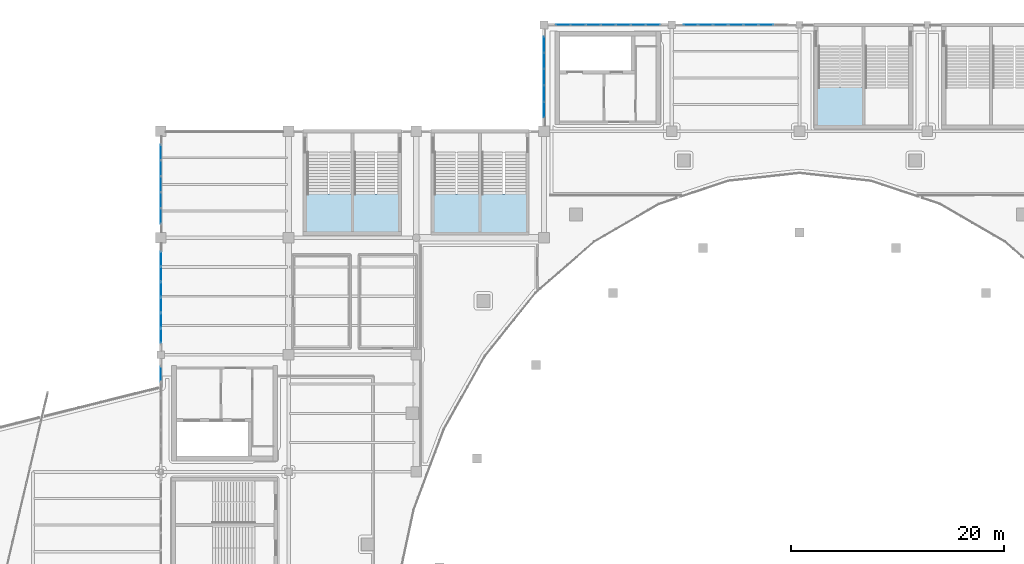
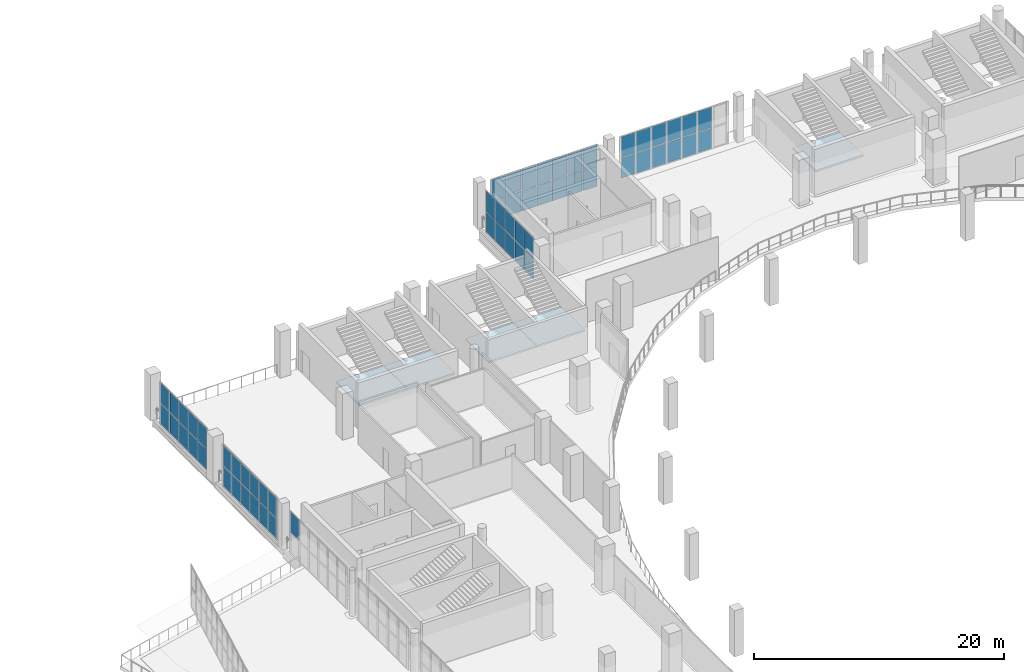
# One storey, part 72 of 108: 59 plates, 5 slabs, 11 elements without a shape of their own.
"""IFC4 building model written with IfcOpenShell, lengths in metres."""

from ifc_helpers import new_model, si_unit, direction, frame, origin, origin_2d, place, context, subcontext, project, spatial, polyline, rectangle, outline, extrude, material, layer, layer_set, type_object, element, aggregate, save


model = new_model("IFC4")

# Units and contexts
model_context = context("Model", 3, precision=1e-05, world=origin(), true_north=direction((0.0, 1.0)))
body_context = subcontext(model_context, "Body", "Model", "MODEL_VIEW")
ifc_project = project(units=[si_unit("LENGTHUNIT", "METRE"), si_unit("AREAUNIT", "SQUARE_METRE"), si_unit("VOLUMEUNIT", "CUBIC_METRE"), si_unit("PLANEANGLEUNIT", "RADIAN"), si_unit("MASSUNIT", "GRAM", prefix="KILO")], contexts=[model_context])

# Site, building, storey
site_placement = place(None, origin())
site = spatial("IfcSite", under=ifc_project, at=site_placement, CompositionType="ELEMENT")
building_placement = place(site_placement, origin())
building = spatial("IfcBuilding", under=site, at=building_placement, Name="Brinegate Civic Arena", CompositionType="ELEMENT")
storey_placement = place(building_placement, frame((0.0, 0.0, 10.199951171875)))
storey = spatial("IfcBuildingStorey", under=building, at=storey_placement, Name="L02", CompositionType="ELEMENT", Elevation=10.199951171875)

# Curtain wall, plates
ifc_material_1 = material(Name="Marine grade aluminium", Category="aluminium")
ifc_layer_1 = layer(ifc_material_1, 0.235107421875, Name="Marine grade aluminium")
ifc_layer_set_1 = layer_set([ifc_layer_1], Name="Marine grade aluminium")
curtain_wall_type_1 = type_object("IfcCurtainWallType", Name="CW-PORTAL-NORTH-01", PredefinedType="USERDEFINED", material=ifc_layer_set_1)
curtain_wall_1_placement = place(storey_placement, origin())
curtain_wall_1 = element("IfcCurtainWall", 1, at=curtain_wall_1_placement, inside=storey, type_object=curtain_wall_type_1, Name="Curtain Wall CWA-096", ObjectType="PORTAL CURTAIN WALL", PredefinedType="USERDEFINED")
ifc_material_2 = material(Name="Hurricane laminated low-E glass", Category="glass")
ifc_layer_2 = layer(ifc_material_2, 0.028076171875, Name="Hurricane laminated low-E glass")
ifc_layer_set_2 = layer_set([ifc_layer_2], Name="Hurricane laminated low-E glass")
plate_type_1 = type_object("IfcPlateType", Name="CW-PANEL-GLAZED-28", PredefinedType="CURTAIN_PANEL", material=ifc_layer_set_2)
plate_1_placement = place(storey_placement, frame((85.801513671875, 124.0, 0.06494140625), z_axis=(0.0, 0.0, 1.0), x_axis=(1.0, 0.0, 0.0)))
plate_1 = element("IfcPlate", 2, at=plate_1_placement, type_object=plate_type_1, Name="CWA-096 panel 1.1", PredefinedType="CURTAIN_PANEL", context=body_context, shape_type="SweptSolid", body=[
    extrude(rectangle(XDim=1.313232421875, YDim=0.028076171875, at=origin_2d()), origin(), (0.0, 0.0, 1.0), 1.9775390625),
])
plate_2_placement = place(storey_placement, frame((85.801513671875, 124.0, 2.107421875), z_axis=(0.0, 0.0, 1.0), x_axis=(1.0, 0.0, 0.0)))
plate_2 = element("IfcPlate", 3, at=plate_2_placement, type_object=plate_type_1, Name="CWA-096 panel 1.2", PredefinedType="CURTAIN_PANEL", context=body_context, shape_type="SweptSolid", body=[
    extrude(rectangle(XDim=1.313232421875, YDim=0.028076171875, at=origin_2d()), origin(), (0.0, 0.0, 1.0), 1.9775390625),
])
plate_3_placement = place(storey_placement, frame((87.196044921875, 124.0, 0.06494140625), z_axis=(0.0, 0.0, 1.0), x_axis=(1.0, 0.0, 0.0)))
plate_3 = element("IfcPlate", 4, at=plate_3_placement, type_object=plate_type_1, Name="CWA-096 panel 2.1", PredefinedType="CURTAIN_PANEL", context=body_context, shape_type="SweptSolid", body=[
    extrude(rectangle(XDim=1.345703125, YDim=0.028076171875, at=origin_2d()), origin(), (0.0, 0.0, 1.0), 1.9775390625),
])
plate_4_placement = place(storey_placement, frame((87.196044921875, 124.0, 2.107421875), z_axis=(0.0, 0.0, 1.0), x_axis=(1.0, 0.0, 0.0)))
plate_4 = element("IfcPlate", 5, at=plate_4_placement, type_object=plate_type_1, Name="CWA-096 panel 2.2", PredefinedType="CURTAIN_PANEL", context=body_context, shape_type="SweptSolid", body=[
    extrude(rectangle(XDim=1.345703125, YDim=0.028076171875, at=origin_2d()), origin(), (0.0, 0.0, 1.0), 1.9775390625),
])
plate_5_placement = place(storey_placement, frame((88.606689453125, 124.0, 0.06494140625), z_axis=(0.0, 0.0, 1.0), x_axis=(1.0, 0.0, 0.0)))
plate_5 = element("IfcPlate", 6, at=plate_5_placement, type_object=plate_type_1, Name="CWA-096 panel 3.1", PredefinedType="CURTAIN_PANEL", context=body_context, shape_type="SweptSolid", body=[
    extrude(rectangle(XDim=1.345703125, YDim=0.028076171875, at=origin_2d()), origin(), (0.0, 0.0, 1.0), 1.9775390625),
])
plate_6_placement = place(storey_placement, frame((88.606689453125, 124.0, 2.107421875), z_axis=(0.0, 0.0, 1.0), x_axis=(1.0, 0.0, 0.0)))
plate_6 = element("IfcPlate", 7, at=plate_6_placement, type_object=plate_type_1, Name="CWA-096 panel 3.2", PredefinedType="CURTAIN_PANEL", context=body_context, shape_type="SweptSolid", body=[
    extrude(rectangle(XDim=1.345703125, YDim=0.028076171875, at=origin_2d()), origin(), (0.0, 0.0, 1.0), 1.9775390625),
])
plate_7_placement = place(storey_placement, frame((90.017578125, 124.0, 0.06494140625), z_axis=(0.0, 0.0, 1.0), x_axis=(1.0, 0.0, 0.0)))
plate_7 = element("IfcPlate", 8, at=plate_7_placement, type_object=plate_type_1, Name="CWA-096 panel 4.1", PredefinedType="CURTAIN_PANEL", context=body_context, shape_type="SweptSolid", body=[
    extrude(rectangle(XDim=1.345703125, YDim=0.028076171875, at=origin_2d()), origin(), (0.0, 0.0, 1.0), 1.9775390625),
])
plate_8_placement = place(storey_placement, frame((90.017578125, 124.0, 2.107421875), z_axis=(0.0, 0.0, 1.0), x_axis=(1.0, 0.0, 0.0)))
plate_8 = element("IfcPlate", 9, at=plate_8_placement, type_object=plate_type_1, Name="CWA-096 panel 4.2", PredefinedType="CURTAIN_PANEL", context=body_context, shape_type="SweptSolid", body=[
    extrude(rectangle(XDim=1.345703125, YDim=0.028076171875, at=origin_2d()), origin(), (0.0, 0.0, 1.0), 1.9775390625),
])
plate_9_placement = place(storey_placement, frame((91.42822265625, 124.0, 0.06494140625), z_axis=(0.0, 0.0, 1.0), x_axis=(1.0, 0.0, 0.0)))
plate_9 = element("IfcPlate", 10, at=plate_9_placement, type_object=plate_type_1, Name="CWA-096 panel 5.1", PredefinedType="CURTAIN_PANEL", context=body_context, shape_type="SweptSolid", body=[
    extrude(rectangle(XDim=1.345703125, YDim=0.028076171875, at=origin_2d()), origin(), (0.0, 0.0, 1.0), 1.9775390625),
])
plate_10_placement = place(storey_placement, frame((91.42822265625, 124.0, 2.107421875), z_axis=(0.0, 0.0, 1.0), x_axis=(1.0, 0.0, 0.0)))
plate_10 = element("IfcPlate", 11, at=plate_10_placement, type_object=plate_type_1, Name="CWA-096 panel 5.2", PredefinedType="CURTAIN_PANEL", context=body_context, shape_type="SweptSolid", body=[
    extrude(rectangle(XDim=1.345703125, YDim=0.028076171875, at=origin_2d()), origin(), (0.0, 0.0, 1.0), 1.9775390625),
])
plate_11_placement = place(storey_placement, frame((92.8388671875, 124.0, 0.06494140625), z_axis=(0.0, 0.0, 1.0), x_axis=(1.0, 0.0, 0.0)))
plate_11 = element("IfcPlate", 12, at=plate_11_placement, type_object=plate_type_1, Name="CWA-096 panel 6.1", PredefinedType="CURTAIN_PANEL", context=body_context, shape_type="SweptSolid", body=[
    extrude(rectangle(XDim=1.345703125, YDim=0.028076171875, at=origin_2d()), origin(), (0.0, 0.0, 1.0), 1.9775390625),
])
plate_12_placement = place(storey_placement, frame((92.8388671875, 124.0, 2.107421875), z_axis=(0.0, 0.0, 1.0), x_axis=(1.0, 0.0, 0.0)))
plate_12 = element("IfcPlate", 13, at=plate_12_placement, type_object=plate_type_1, Name="CWA-096 panel 6.2", PredefinedType="CURTAIN_PANEL", context=body_context, shape_type="SweptSolid", body=[
    extrude(rectangle(XDim=1.345703125, YDim=0.028076171875, at=origin_2d()), origin(), (0.0, 0.0, 1.0), 1.9775390625),
])
plate_13_placement = place(storey_placement, frame((94.2333984375, 124.0, 0.06494140625), z_axis=(0.0, 0.0, 1.0), x_axis=(1.0, 0.0, 0.0)))
plate_13 = element("IfcPlate", 14, at=plate_13_placement, type_object=plate_type_1, Name="CWA-096 panel 7.1", PredefinedType="CURTAIN_PANEL", context=body_context, shape_type="SweptSolid", body=[
    extrude(rectangle(XDim=1.313232421875, YDim=0.028076171875, at=origin_2d()), origin(), (0.0, 0.0, 1.0), 1.9775390625),
])
plate_14_placement = place(storey_placement, frame((94.2333984375, 124.0, 2.107421875), z_axis=(0.0, 0.0, 1.0), x_axis=(1.0, 0.0, 0.0)))
plate_14 = element("IfcPlate", 15, at=plate_14_placement, type_object=plate_type_1, Name="CWA-096 panel 7.2", PredefinedType="CURTAIN_PANEL", context=body_context, shape_type="SweptSolid", body=[
    extrude(rectangle(XDim=1.313232421875, YDim=0.028076171875, at=origin_2d()), origin(), (0.0, 0.0, 1.0), 1.9775390625),
])
aggregate(curtain_wall_1, [plate_1, plate_2, plate_3, plate_4, plate_5, plate_6, plate_7, plate_8, plate_9, plate_10, plate_11, plate_12, plate_13, plate_14])

curtain_wall_2_placement = place(storey_placement, origin())
curtain_wall_2 = element("IfcCurtainWall", 16, at=curtain_wall_2_placement, inside=storey, type_object=curtain_wall_type_1, Name="Curtain Wall CWA-100", ObjectType="PORTAL CURTAIN WALL", PredefinedType="USERDEFINED")
plate_15_placement = place(storey_placement, frame((84.0, 116.03955078125, 0.06494140625), z_axis=(0.0, 0.0, 1.0), x_axis=(0.0, 1.0, 0.0)))
plate_15 = element("IfcPlate", 17, at=plate_15_placement, type_object=plate_type_1, Name="CWA-100 panel 1.1", PredefinedType="CURTAIN_PANEL", context=body_context, shape_type="SweptSolid", body=[
    extrude(rectangle(XDim=1.43505859375, YDim=0.028076171875, at=origin_2d()), origin(), (0.0, 0.0, 1.0), 1.9775390625),
])
plate_16_placement = place(storey_placement, frame((84.0, 116.03955078125, 2.107421875), z_axis=(0.0, 0.0, 1.0), x_axis=(0.0, 1.0, 0.0)))
plate_16 = element("IfcPlate", 18, at=plate_16_placement, type_object=plate_type_1, Name="CWA-100 panel 1.2", PredefinedType="CURTAIN_PANEL", context=body_context, shape_type="SweptSolid", body=[
    extrude(rectangle(XDim=1.43505859375, YDim=0.028076171875, at=origin_2d()), origin(), (0.0, 0.0, 1.0), 1.9775390625),
])
plate_17_placement = place(storey_placement, frame((84.0, 117.555908203125, 0.06494140625), z_axis=(0.0, 0.0, 1.0), x_axis=(0.0, 1.0, 0.0)))
plate_17 = element("IfcPlate", 19, at=plate_17_placement, type_object=plate_type_1, Name="CWA-100 panel 2.1", PredefinedType="CURTAIN_PANEL", context=body_context, shape_type="SweptSolid", body=[
    extrude(rectangle(XDim=1.467529296875, YDim=0.028076171875, at=origin_2d()), origin(), (0.0, 0.0, 1.0), 1.9775390625),
])
plate_18_placement = place(storey_placement, frame((84.0, 117.555908203125, 2.107421875), z_axis=(0.0, 0.0, 1.0), x_axis=(0.0, 1.0, 0.0)))
plate_18 = element("IfcPlate", 20, at=plate_18_placement, type_object=plate_type_1, Name="CWA-100 panel 2.2", PredefinedType="CURTAIN_PANEL", context=body_context, shape_type="SweptSolid", body=[
    extrude(rectangle(XDim=1.467529296875, YDim=0.028076171875, at=origin_2d()), origin(), (0.0, 0.0, 1.0), 1.9775390625),
])
plate_19_placement = place(storey_placement, frame((84.0, 119.08837890625, 0.06494140625), z_axis=(0.0, 0.0, 1.0), x_axis=(0.0, 1.0, 0.0)))
plate_19 = element("IfcPlate", 21, at=plate_19_placement, type_object=plate_type_1, Name="CWA-100 panel 3.1", PredefinedType="CURTAIN_PANEL", context=body_context, shape_type="SweptSolid", body=[
    extrude(rectangle(XDim=1.467529296875, YDim=0.028076171875, at=origin_2d()), origin(), (0.0, 0.0, 1.0), 1.9775390625),
])
plate_20_placement = place(storey_placement, frame((84.0, 119.08837890625, 2.107421875), z_axis=(0.0, 0.0, 1.0), x_axis=(0.0, 1.0, 0.0)))
plate_20 = element("IfcPlate", 22, at=plate_20_placement, type_object=plate_type_1, Name="CWA-100 panel 3.2", PredefinedType="CURTAIN_PANEL", context=body_context, shape_type="SweptSolid", body=[
    extrude(rectangle(XDim=1.467529296875, YDim=0.028076171875, at=origin_2d()), origin(), (0.0, 0.0, 1.0), 1.9775390625),
])
plate_21_placement = place(storey_placement, frame((84.0, 120.62109375, 0.06494140625), z_axis=(0.0, 0.0, 1.0), x_axis=(0.0, 1.0, 0.0)))
plate_21 = element("IfcPlate", 23, at=plate_21_placement, type_object=plate_type_1, Name="CWA-100 panel 4.1", PredefinedType="CURTAIN_PANEL", context=body_context, shape_type="SweptSolid", body=[
    extrude(rectangle(XDim=1.467529296875, YDim=0.028076171875, at=origin_2d()), origin(), (0.0, 0.0, 1.0), 1.9775390625),
])
plate_22_placement = place(storey_placement, frame((84.0, 120.62109375, 2.107421875), z_axis=(0.0, 0.0, 1.0), x_axis=(0.0, 1.0, 0.0)))
plate_22 = element("IfcPlate", 24, at=plate_22_placement, type_object=plate_type_1, Name="CWA-100 panel 4.2", PredefinedType="CURTAIN_PANEL", context=body_context, shape_type="SweptSolid", body=[
    extrude(rectangle(XDim=1.467529296875, YDim=0.028076171875, at=origin_2d()), origin(), (0.0, 0.0, 1.0), 1.9775390625),
])
plate_23_placement = place(storey_placement, frame((84.0, 122.137451171875, 0.06494140625), z_axis=(0.0, 0.0, 1.0), x_axis=(0.0, 1.0, 0.0)))
plate_23 = element("IfcPlate", 25, at=plate_23_placement, type_object=plate_type_1, Name="CWA-100 panel 5.1", PredefinedType="CURTAIN_PANEL", context=body_context, shape_type="SweptSolid", body=[
    extrude(rectangle(XDim=1.43505859375, YDim=0.028076171875, at=origin_2d()), origin(), (0.0, 0.0, 1.0), 1.9775390625),
])
plate_24_placement = place(storey_placement, frame((84.0, 122.137451171875, 2.107421875), z_axis=(0.0, 0.0, 1.0), x_axis=(0.0, 1.0, 0.0)))
plate_24 = element("IfcPlate", 26, at=plate_24_placement, type_object=plate_type_1, Name="CWA-100 panel 5.2", PredefinedType="CURTAIN_PANEL", context=body_context, shape_type="SweptSolid", body=[
    extrude(rectangle(XDim=1.43505859375, YDim=0.028076171875, at=origin_2d()), origin(), (0.0, 0.0, 1.0), 1.9775390625),
])
aggregate(curtain_wall_2, [plate_15, plate_16, plate_17, plate_18, plate_19, plate_20, plate_21, plate_22, plate_23, plate_24])

# Curtain wall, plate
ifc_layer_3 = layer(ifc_material_1, 0.199951171875, Name="Marine grade aluminium")
ifc_layer_set_3 = layer_set([ifc_layer_3], Name="Marine grade aluminium")
curtain_wall_type_2 = type_object("IfcCurtainWallType", Name="CW-BOWL-GLAZED-01", PredefinedType="USERDEFINED", material=ifc_layer_set_3)
curtain_wall_3_placement = place(storey_placement, origin())
curtain_wall_3 = element("IfcCurtainWall", 27, at=curtain_wall_3_placement, inside=storey, type_object=curtain_wall_type_2, Name="Curtain Wall CWA-089", ObjectType="GLAZED CURTAIN WALL", PredefinedType="USERDEFINED")
ifc_layer_4 = layer(ifc_material_2, 0.031982421875, Name="Hurricane laminated low-E glass")
ifc_layer_set_4 = layer_set([ifc_layer_4], Name="Hurricane laminated low-E glass")
plate_type_2 = type_object("IfcPlateType", Name="CW-PANEL-GLAZED-32", PredefinedType="CURTAIN_PANEL", material=ifc_layer_set_4)
plate_25_placement = place(storey_placement, frame((48.0, 91.184814453125, 2.107421875), z_axis=(0.0, 0.0, 1.0), x_axis=(0.0, 1.0, 0.0)))
plate_25 = element("IfcPlate", 28, at=plate_25_placement, type_object=plate_type_2, Name="CWA-089 panel 6.2", PredefinedType="CURTAIN_PANEL", context=body_context, shape_type="SweptSolid", body=[
    extrude(rectangle(XDim=1.41015625, YDim=0.031982421875, at=origin_2d()), origin(), (0.0, 0.0, 1.0), 1.9775390625),
])
aggregate(curtain_wall_3, [plate_25])

# Curtain wall, plates
curtain_wall_4_placement = place(storey_placement, origin())
curtain_wall_4 = element("IfcCurtainWall", 29, at=curtain_wall_4_placement, inside=storey, type_object=curtain_wall_type_2, Name="Curtain Wall CWA-093", ObjectType="GLAZED CURTAIN WALL", PredefinedType="USERDEFINED")
plate_26_placement = place(storey_placement, frame((48.0, 106.025390625, 0.06494140625), z_axis=(0.0, 0.0, 1.0), x_axis=(0.0, 1.0, 0.0)))
plate_26 = element("IfcPlate", 30, at=plate_26_placement, type_object=plate_type_2, Name="CWA-093 panel 1.1", PredefinedType="CURTAIN_PANEL", context=body_context, shape_type="SweptSolid", body=[
    extrude(rectangle(XDim=1.40673828125, YDim=0.031982421875, at=origin_2d()), origin(), (0.0, 0.0, 1.0), 1.9775390625),
])
plate_27_placement = place(storey_placement, frame((48.0, 106.025390625, 2.107421875), z_axis=(0.0, 0.0, 1.0), x_axis=(0.0, 1.0, 0.0)))
plate_27 = element("IfcPlate", 31, at=plate_27_placement, type_object=plate_type_2, Name="CWA-093 panel 1.2", PredefinedType="CURTAIN_PANEL", context=body_context, shape_type="SweptSolid", body=[
    extrude(rectangle(XDim=1.40673828125, YDim=0.031982421875, at=origin_2d()), origin(), (0.0, 0.0, 1.0), 1.9775390625),
])
plate_28_placement = place(storey_placement, frame((48.0, 107.51318359375, 0.06494140625), z_axis=(0.0, 0.0, 1.0), x_axis=(0.0, 1.0, 0.0)))
plate_28 = element("IfcPlate", 32, at=plate_28_placement, type_object=plate_type_2, Name="CWA-093 panel 2.1", PredefinedType="CURTAIN_PANEL", context=body_context, shape_type="SweptSolid", body=[
    extrude(rectangle(XDim=1.439208984375, YDim=0.031982421875, at=origin_2d()), origin(), (0.0, 0.0, 1.0), 1.9775390625),
])
plate_29_placement = place(storey_placement, frame((48.0, 107.51318359375, 2.107421875), z_axis=(0.0, 0.0, 1.0), x_axis=(0.0, 1.0, 0.0)))
plate_29 = element("IfcPlate", 33, at=plate_29_placement, type_object=plate_type_2, Name="CWA-093 panel 2.2", PredefinedType="CURTAIN_PANEL", context=body_context, shape_type="SweptSolid", body=[
    extrude(rectangle(XDim=1.439208984375, YDim=0.031982421875, at=origin_2d()), origin(), (0.0, 0.0, 1.0), 1.9775390625),
])
plate_30_placement = place(storey_placement, frame((48.0, 109.017578125, 0.06494140625), z_axis=(0.0, 0.0, 1.0), x_axis=(0.0, 1.0, 0.0)))
plate_30 = element("IfcPlate", 34, at=plate_30_placement, type_object=plate_type_2, Name="CWA-093 panel 3.1", PredefinedType="CURTAIN_PANEL", context=body_context, shape_type="SweptSolid", body=[
    extrude(rectangle(XDim=1.439208984375, YDim=0.031982421875, at=origin_2d()), origin(), (0.0, 0.0, 1.0), 1.9775390625),
])
plate_31_placement = place(storey_placement, frame((48.0, 109.017578125, 2.107421875), z_axis=(0.0, 0.0, 1.0), x_axis=(0.0, 1.0, 0.0)))
plate_31 = element("IfcPlate", 35, at=plate_31_placement, type_object=plate_type_2, Name="CWA-093 panel 3.2", PredefinedType="CURTAIN_PANEL", context=body_context, shape_type="SweptSolid", body=[
    extrude(rectangle(XDim=1.439208984375, YDim=0.031982421875, at=origin_2d()), origin(), (0.0, 0.0, 1.0), 1.9775390625),
])
plate_32_placement = place(storey_placement, frame((48.0, 110.521728515625, 0.06494140625), z_axis=(0.0, 0.0, 1.0), x_axis=(0.0, 1.0, 0.0)))
plate_32 = element("IfcPlate", 36, at=plate_32_placement, type_object=plate_type_2, Name="CWA-093 panel 4.1", PredefinedType="CURTAIN_PANEL", context=body_context, shape_type="SweptSolid", body=[
    extrude(rectangle(XDim=1.439208984375, YDim=0.031982421875, at=origin_2d()), origin(), (0.0, 0.0, 1.0), 1.9775390625),
])
plate_33_placement = place(storey_placement, frame((48.0, 110.521728515625, 2.107421875), z_axis=(0.0, 0.0, 1.0), x_axis=(0.0, 1.0, 0.0)))
plate_33 = element("IfcPlate", 37, at=plate_33_placement, type_object=plate_type_2, Name="CWA-093 panel 4.2", PredefinedType="CURTAIN_PANEL", context=body_context, shape_type="SweptSolid", body=[
    extrude(rectangle(XDim=1.439208984375, YDim=0.031982421875, at=origin_2d()), origin(), (0.0, 0.0, 1.0), 1.9775390625),
])
plate_34_placement = place(storey_placement, frame((48.0, 112.009765625, 0.06494140625), z_axis=(0.0, 0.0, 1.0), x_axis=(0.0, 1.0, 0.0)))
plate_34 = element("IfcPlate", 38, at=plate_34_placement, type_object=plate_type_2, Name="CWA-093 panel 5.1", PredefinedType="CURTAIN_PANEL", context=body_context, shape_type="SweptSolid", body=[
    extrude(rectangle(XDim=1.40673828125, YDim=0.031982421875, at=origin_2d()), origin(), (0.0, 0.0, 1.0), 1.9775390625),
])
plate_35_placement = place(storey_placement, frame((48.0, 112.009765625, 2.107421875), z_axis=(0.0, 0.0, 1.0), x_axis=(0.0, 1.0, 0.0)))
plate_35 = element("IfcPlate", 39, at=plate_35_placement, type_object=plate_type_2, Name="CWA-093 panel 5.2", PredefinedType="CURTAIN_PANEL", context=body_context, shape_type="SweptSolid", body=[
    extrude(rectangle(XDim=1.40673828125, YDim=0.031982421875, at=origin_2d()), origin(), (0.0, 0.0, 1.0), 1.9775390625),
])
aggregate(curtain_wall_4, [plate_26, plate_27, plate_28, plate_29, plate_30, plate_31, plate_32, plate_33, plate_34, plate_35])

curtain_wall_5_placement = place(storey_placement, origin())
curtain_wall_5 = element("IfcCurtainWall", 40, at=curtain_wall_5_placement, inside=storey, type_object=curtain_wall_type_1, Name="Curtain Wall CWA-098", ObjectType="PORTAL CURTAIN WALL", PredefinedType="USERDEFINED")
ifc_layer_5 = layer(ifc_material_2, 0.035888671875, Name="Hurricane laminated low-E glass")
ifc_layer_set_5 = layer_set([ifc_layer_5], Name="Hurricane laminated low-E glass")
plate_type_3 = type_object("IfcPlateType", Name="CW-PANEL-GLAZED-36", PredefinedType="CURTAIN_PANEL", material=ifc_layer_set_5)
plate_36_placement = place(storey_placement, frame((97.774169921875, 124.0, 0.06494140625), z_axis=(0.0, 0.0, 1.0), x_axis=(1.0, 0.0, 0.0)))
plate_36 = element("IfcPlate", 41, at=plate_36_placement, type_object=plate_type_3, Name="CWA-098 panel 1.1", PredefinedType="CURTAIN_PANEL", context=body_context, shape_type="SweptSolid", body=[
    extrude(rectangle(XDim=1.30810546875, YDim=0.035888671875, at=origin_2d()), origin(), (0.0, 0.0, 1.0), 1.9775390625),
])
plate_37_placement = place(storey_placement, frame((97.774169921875, 124.0, 2.107421875), z_axis=(0.0, 0.0, 1.0), x_axis=(1.0, 0.0, 0.0)))
plate_37 = element("IfcPlate", 42, at=plate_37_placement, type_object=plate_type_3, Name="CWA-098 panel 1.2", PredefinedType="CURTAIN_PANEL", context=body_context, shape_type="SweptSolid", body=[
    extrude(rectangle(XDim=1.30810546875, YDim=0.035888671875, at=origin_2d()), origin(), (0.0, 0.0, 1.0), 1.9775390625),
])
plate_38_placement = place(storey_placement, frame((99.176025390625, 124.0, 0.06494140625), z_axis=(0.0, 0.0, 1.0), x_axis=(1.0, 0.0, 0.0)))
plate_38 = element("IfcPlate", 43, at=plate_38_placement, type_object=plate_type_3, Name="CWA-098 panel 2.1", PredefinedType="CURTAIN_PANEL", context=body_context, shape_type="SweptSolid", body=[
    extrude(rectangle(XDim=1.345703125, YDim=0.035888671875, at=origin_2d()), origin(), (0.0, 0.0, 1.0), 1.9775390625),
])
plate_39_placement = place(storey_placement, frame((99.176025390625, 124.0, 2.107421875), z_axis=(0.0, 0.0, 1.0), x_axis=(1.0, 0.0, 0.0)))
plate_39 = element("IfcPlate", 44, at=plate_39_placement, type_object=plate_type_3, Name="CWA-098 panel 2.2", PredefinedType="CURTAIN_PANEL", context=body_context, shape_type="SweptSolid", body=[
    extrude(rectangle(XDim=1.345703125, YDim=0.035888671875, at=origin_2d()), origin(), (0.0, 0.0, 1.0), 1.9775390625),
])
plate_40_placement = place(storey_placement, frame((100.5966796875, 124.0, 0.06494140625), z_axis=(0.0, 0.0, 1.0), x_axis=(1.0, 0.0, 0.0)))
plate_40 = element("IfcPlate", 45, at=plate_40_placement, type_object=plate_type_3, Name="CWA-098 panel 3.1", PredefinedType="CURTAIN_PANEL", context=body_context, shape_type="SweptSolid", body=[
    extrude(rectangle(XDim=1.345703125, YDim=0.035888671875, at=origin_2d()), origin(), (0.0, 0.0, 1.0), 1.9775390625),
])
plate_41_placement = place(storey_placement, frame((100.5966796875, 124.0, 2.107421875), z_axis=(0.0, 0.0, 1.0), x_axis=(1.0, 0.0, 0.0)))
plate_41 = element("IfcPlate", 46, at=plate_41_placement, type_object=plate_type_3, Name="CWA-098 panel 3.2", PredefinedType="CURTAIN_PANEL", context=body_context, shape_type="SweptSolid", body=[
    extrude(rectangle(XDim=1.345703125, YDim=0.035888671875, at=origin_2d()), origin(), (0.0, 0.0, 1.0), 1.9775390625),
])
plate_42_placement = place(storey_placement, frame((102.017578125, 124.0, 0.06494140625), z_axis=(0.0, 0.0, 1.0), x_axis=(1.0, 0.0, 0.0)))
plate_42 = element("IfcPlate", 47, at=plate_42_placement, type_object=plate_type_3, Name="CWA-098 panel 4.1", PredefinedType="CURTAIN_PANEL", context=body_context, shape_type="SweptSolid", body=[
    extrude(rectangle(XDim=1.345703125, YDim=0.035888671875, at=origin_2d()), origin(), (0.0, 0.0, 1.0), 1.9775390625),
])
plate_43_placement = place(storey_placement, frame((102.017578125, 124.0, 2.107421875), z_axis=(0.0, 0.0, 1.0), x_axis=(1.0, 0.0, 0.0)))
plate_43 = element("IfcPlate", 48, at=plate_43_placement, type_object=plate_type_3, Name="CWA-098 panel 4.2", PredefinedType="CURTAIN_PANEL", context=body_context, shape_type="SweptSolid", body=[
    extrude(rectangle(XDim=1.345703125, YDim=0.035888671875, at=origin_2d()), origin(), (0.0, 0.0, 1.0), 1.9775390625),
])
plate_44_placement = place(storey_placement, frame((103.438232421875, 124.0, 0.06494140625), z_axis=(0.0, 0.0, 1.0), x_axis=(1.0, 0.0, 0.0)))
plate_44 = element("IfcPlate", 49, at=plate_44_placement, type_object=plate_type_3, Name="CWA-098 panel 5.1", PredefinedType="CURTAIN_PANEL", context=body_context, shape_type="SweptSolid", body=[
    extrude(rectangle(XDim=1.345703125, YDim=0.035888671875, at=origin_2d()), origin(), (0.0, 0.0, 1.0), 1.9775390625),
])
plate_45_placement = place(storey_placement, frame((103.438232421875, 124.0, 2.107421875), z_axis=(0.0, 0.0, 1.0), x_axis=(1.0, 0.0, 0.0)))
plate_45 = element("IfcPlate", 50, at=plate_45_placement, type_object=plate_type_3, Name="CWA-098 panel 5.2", PredefinedType="CURTAIN_PANEL", context=body_context, shape_type="SweptSolid", body=[
    extrude(rectangle(XDim=1.345703125, YDim=0.035888671875, at=origin_2d()), origin(), (0.0, 0.0, 1.0), 1.9775390625),
])
plate_46_placement = place(storey_placement, frame((104.85888671875, 124.0, 0.06494140625), z_axis=(0.0, 0.0, 1.0), x_axis=(1.0, 0.0, 0.0)))
plate_46 = element("IfcPlate", 51, at=plate_46_placement, type_object=plate_type_3, Name="CWA-098 panel 6.1", PredefinedType="CURTAIN_PANEL", context=body_context, shape_type="SweptSolid", body=[
    extrude(rectangle(XDim=1.345703125, YDim=0.035888671875, at=origin_2d()), origin(), (0.0, 0.0, 1.0), 1.9775390625),
])
plate_47_placement = place(storey_placement, frame((104.85888671875, 124.0, 2.107421875), z_axis=(0.0, 0.0, 1.0), x_axis=(1.0, 0.0, 0.0)))
plate_47 = element("IfcPlate", 52, at=plate_47_placement, type_object=plate_type_3, Name="CWA-098 panel 6.2", PredefinedType="CURTAIN_PANEL", context=body_context, shape_type="SweptSolid", body=[
    extrude(rectangle(XDim=1.345703125, YDim=0.035888671875, at=origin_2d()), origin(), (0.0, 0.0, 1.0), 1.9775390625),
])
aggregate(curtain_wall_5, [plate_36, plate_37, plate_38, plate_39, plate_40, plate_41, plate_42, plate_43, plate_44, plate_45, plate_46, plate_47])

curtain_wall_6_placement = place(storey_placement, origin())
curtain_wall_6 = element("IfcCurtainWall", 53, at=curtain_wall_6_placement, inside=storey, type_object=curtain_wall_type_2, Name="Curtain Wall CWA-091", ObjectType="GLAZED CURTAIN WALL", PredefinedType="USERDEFINED")
ifc_layer_6 = layer(ifc_material_2, 0.0419921875, Name="Hurricane laminated low-E glass")
ifc_layer_set_6 = layer_set([ifc_layer_6], Name="Hurricane laminated low-E glass")
plate_type_4 = type_object("IfcPlateType", Name="CW-PANEL-SPANDREL-42", PredefinedType="CURTAIN_PANEL", material=ifc_layer_set_6)
plate_48_placement = place(storey_placement, frame((48.0, 94.789794921875, 0.0751953125), z_axis=(0.0, 0.0, 1.0), x_axis=(0.0, 1.0, 0.0)))
plate_48 = element("IfcPlate", 54, at=plate_48_placement, type_object=plate_type_4, Name="CWA-091 panel 1.1", PredefinedType="CURTAIN_PANEL", context=body_context, shape_type="SweptSolid", body=[
    extrude(rectangle(XDim=1.32958984375, YDim=0.0419921875, at=origin_2d()), origin(), (0.0, 0.0, 1.0), 1.96240234375),
])
plate_49_placement = place(storey_placement, frame((48.0, 94.789794921875, 2.112548828125), z_axis=(0.0, 0.0, 1.0), x_axis=(0.0, 1.0, 0.0)))
plate_49 = element("IfcPlate", 55, at=plate_49_placement, type_object=plate_type_4, Name="CWA-091 panel 1.2", PredefinedType="CURTAIN_PANEL", context=body_context, shape_type="SweptSolid", body=[
    extrude(rectangle(XDim=1.32958984375, YDim=0.0419921875, at=origin_2d()), origin(), (0.0, 0.0, 1.0), 1.96240234375),
])
plate_50_placement = place(storey_placement, frame((48.0, 96.219482421875, 0.0751953125), z_axis=(0.0, 0.0, 1.0), x_axis=(0.0, 1.0, 0.0)))
plate_50 = element("IfcPlate", 56, at=plate_50_placement, type_object=plate_type_4, Name="CWA-091 panel 2.1", PredefinedType="CURTAIN_PANEL", context=body_context, shape_type="SweptSolid", body=[
    extrude(rectangle(XDim=1.36962890625, YDim=0.0419921875, at=origin_2d()), origin(), (0.0, 0.0, 1.0), 1.96240234375),
])
plate_51_placement = place(storey_placement, frame((48.0, 96.219482421875, 2.112548828125), z_axis=(0.0, 0.0, 1.0), x_axis=(0.0, 1.0, 0.0)))
plate_51 = element("IfcPlate", 57, at=plate_51_placement, type_object=plate_type_4, Name="CWA-091 panel 2.2", PredefinedType="CURTAIN_PANEL", context=body_context, shape_type="SweptSolid", body=[
    extrude(rectangle(XDim=1.36962890625, YDim=0.0419921875, at=origin_2d()), origin(), (0.0, 0.0, 1.0), 1.96240234375),
])
plate_52_placement = place(storey_placement, frame((48.0, 97.669189453125, 0.0751953125), z_axis=(0.0, 0.0, 1.0), x_axis=(0.0, 1.0, 0.0)))
plate_52 = element("IfcPlate", 58, at=plate_52_placement, type_object=plate_type_4, Name="CWA-091 panel 3.1", PredefinedType="CURTAIN_PANEL", context=body_context, shape_type="SweptSolid", body=[
    extrude(rectangle(XDim=1.36962890625, YDim=0.0419921875, at=origin_2d()), origin(), (0.0, 0.0, 1.0), 1.96240234375),
])
plate_53_placement = place(storey_placement, frame((48.0, 97.669189453125, 2.112548828125), z_axis=(0.0, 0.0, 1.0), x_axis=(0.0, 1.0, 0.0)))
plate_53 = element("IfcPlate", 59, at=plate_53_placement, type_object=plate_type_4, Name="CWA-091 panel 3.2", PredefinedType="CURTAIN_PANEL", context=body_context, shape_type="SweptSolid", body=[
    extrude(rectangle(XDim=1.36962890625, YDim=0.0419921875, at=origin_2d()), origin(), (0.0, 0.0, 1.0), 1.96240234375),
])
plate_54_placement = place(storey_placement, frame((48.0, 99.118896484375, 0.0751953125), z_axis=(0.0, 0.0, 1.0), x_axis=(0.0, 1.0, 0.0)))
plate_54 = element("IfcPlate", 60, at=plate_54_placement, type_object=plate_type_4, Name="CWA-091 panel 4.1", PredefinedType="CURTAIN_PANEL", context=body_context, shape_type="SweptSolid", body=[
    extrude(rectangle(XDim=1.36962890625, YDim=0.0419921875, at=origin_2d()), origin(), (0.0, 0.0, 1.0), 1.96240234375),
])
plate_55_placement = place(storey_placement, frame((48.0, 99.118896484375, 2.112548828125), z_axis=(0.0, 0.0, 1.0), x_axis=(0.0, 1.0, 0.0)))
plate_55 = element("IfcPlate", 61, at=plate_55_placement, type_object=plate_type_4, Name="CWA-091 panel 4.2", PredefinedType="CURTAIN_PANEL", context=body_context, shape_type="SweptSolid", body=[
    extrude(rectangle(XDim=1.36962890625, YDim=0.0419921875, at=origin_2d()), origin(), (0.0, 0.0, 1.0), 1.96240234375),
])
plate_56_placement = place(storey_placement, frame((48.0, 100.568603515625, 0.0751953125), z_axis=(0.0, 0.0, 1.0), x_axis=(0.0, 1.0, 0.0)))
plate_56 = element("IfcPlate", 62, at=plate_56_placement, type_object=plate_type_4, Name="CWA-091 panel 5.1", PredefinedType="CURTAIN_PANEL", context=body_context, shape_type="SweptSolid", body=[
    extrude(rectangle(XDim=1.36962890625, YDim=0.0419921875, at=origin_2d()), origin(), (0.0, 0.0, 1.0), 1.96240234375),
])
plate_57_placement = place(storey_placement, frame((48.0, 100.568603515625, 2.112548828125), z_axis=(0.0, 0.0, 1.0), x_axis=(0.0, 1.0, 0.0)))
plate_57 = element("IfcPlate", 63, at=plate_57_placement, type_object=plate_type_4, Name="CWA-091 panel 5.2", PredefinedType="CURTAIN_PANEL", context=body_context, shape_type="SweptSolid", body=[
    extrude(rectangle(XDim=1.36962890625, YDim=0.0419921875, at=origin_2d()), origin(), (0.0, 0.0, 1.0), 1.96240234375),
])
plate_58_placement = place(storey_placement, frame((48.0, 101.998046875, 0.0751953125), z_axis=(0.0, 0.0, 1.0), x_axis=(0.0, 1.0, 0.0)))
plate_58 = element("IfcPlate", 64, at=plate_58_placement, type_object=plate_type_4, Name="CWA-091 panel 6.1", PredefinedType="CURTAIN_PANEL", context=body_context, shape_type="SweptSolid", body=[
    extrude(rectangle(XDim=1.32958984375, YDim=0.0419921875, at=origin_2d()), origin(), (0.0, 0.0, 1.0), 1.96240234375),
])
plate_59_placement = place(storey_placement, frame((48.0, 101.998046875, 2.112548828125), z_axis=(0.0, 0.0, 1.0), x_axis=(0.0, 1.0, 0.0)))
plate_59 = element("IfcPlate", 65, at=plate_59_placement, type_object=plate_type_4, Name="CWA-091 panel 6.2", PredefinedType="CURTAIN_PANEL", context=body_context, shape_type="SweptSolid", body=[
    extrude(rectangle(XDim=1.32958984375, YDim=0.0419921875, at=origin_2d()), origin(), (0.0, 0.0, 1.0), 1.96240234375),
])
aggregate(curtain_wall_6, [plate_48, plate_49, plate_50, plate_51, plate_52, plate_53, plate_54, plate_55, plate_56, plate_57, plate_58, plate_59])

# Stair, slab
ifc_material_3 = material(Name="Concrete C40/50", Category="concrete")
stair_type_1 = type_object("IfcStairType", Name="STAIR-EXIT-3850", PredefinedType="HALF_TURN_STAIR", material=ifc_material_3)
stair_1_placement = place(storey_placement, origin())
stair_1 = element("IfcStair", 66, at=stair_1_placement, inside=storey, type_object=stair_type_1, Name="Protected Exit Stair ST-01A (L02)", PredefinedType="HALF_TURN_STAIR")
ifc_layer_7 = layer(ifc_material_3, 0.179931640625, Name="Concrete C40/50")
ifc_layer_set_7 = layer_set([ifc_layer_7], Name="Concrete C40/50")
slab_type = type_object("IfcSlabType", Name="SLAB-LANDING-180", PredefinedType="LANDING", material=ifc_layer_set_7)
slab_1_placement = place(storey_placement, frame((0.0, 0.0, 2.070068359375)))
slab_1 = element("IfcSlab", 67, at=slab_1_placement, type_object=slab_type, Name="ST-01A landing 1", PredefinedType="LANDING", context=body_context, shape_type="SweptSolid", body=[
    extrude(outline(polyline([(61.574951171875, 104.39990234375), (66.0048828125, 104.39990234375), (66.0048828125, 108.1201171875), (61.574951171875, 108.1201171875), (61.574951171875, 104.39990234375)])), origin(), (0.0, 0.0, 1.0), 0.179931640625),
])
aggregate(stair_1, [slab_1])

stair_type_2 = type_object("IfcStairType", Name="STAIR-EXIT-3700", PredefinedType="HALF_TURN_STAIR", material=ifc_material_3)
stair_2_placement = place(storey_placement, origin())
stair_2 = element("IfcStair", 68, at=stair_2_placement, inside=storey, type_object=stair_type_2, Name="Protected Exit Stair ST-01B (L02)", PredefinedType="HALF_TURN_STAIR")
slab_2_placement = place(storey_placement, frame((0.0, 0.0, 2.070068359375)))
slab_2 = element("IfcSlab", 69, at=slab_2_placement, type_object=slab_type, Name="ST-01B landing 1", PredefinedType="LANDING", context=body_context, shape_type="SweptSolid", body=[
    extrude(outline(polyline([(65.9951171875, 104.39990234375), (70.425048828125, 104.39990234375), (70.425048828125, 108.1201171875), (65.9951171875, 108.1201171875), (65.9951171875, 104.39990234375)])), origin(), (0.0, 0.0, 1.0), 0.179931640625),
])
aggregate(stair_2, [slab_2])

stair_3_placement = place(storey_placement, origin())
stair_3 = element("IfcStair", 70, at=stair_3_placement, inside=storey, type_object=stair_type_1, Name="Protected Exit Stair ST-11A (L02)", PredefinedType="HALF_TURN_STAIR")
slab_3_placement = place(storey_placement, frame((0.0, 0.0, 2.070068359375)))
slab_3 = element("IfcSlab", 71, at=slab_3_placement, type_object=slab_type, Name="ST-11A landing 1", PredefinedType="LANDING", context=body_context, shape_type="SweptSolid", body=[
    extrude(outline(polyline([(73.544921875, 104.39990234375), (78.0048828125, 104.39990234375), (78.0048828125, 108.1201171875), (73.544921875, 108.1201171875), (73.544921875, 104.39990234375)])), origin(), (0.0, 0.0, 1.0), 0.179931640625),
])
aggregate(stair_3, [slab_3])

stair_4_placement = place(storey_placement, origin())
stair_4 = element("IfcStair", 72, at=stair_4_placement, inside=storey, type_object=stair_type_2, Name="Protected Exit Stair ST-11B (L02)", PredefinedType="HALF_TURN_STAIR")
slab_4_placement = place(storey_placement, frame((0.0, 0.0, 2.070068359375)))
slab_4 = element("IfcSlab", 73, at=slab_4_placement, type_object=slab_type, Name="ST-11B landing 1", PredefinedType="LANDING", context=body_context, shape_type="SweptSolid", body=[
    extrude(outline(polyline([(77.9951171875, 104.39990234375), (82.455078125, 104.39990234375), (82.455078125, 108.1201171875), (77.9951171875, 108.1201171875), (77.9951171875, 104.39990234375)])), origin(), (0.0, 0.0, 1.0), 0.179931640625),
])
aggregate(stair_4, [slab_4])

stair_5_placement = place(storey_placement, origin())
stair_5 = element("IfcStair", 74, at=stair_5_placement, inside=storey, type_object=stair_type_1, Name="Protected Exit Stair ST-15A (L02)", PredefinedType="HALF_TURN_STAIR")
slab_5_placement = place(storey_placement, frame((0.0, 0.0, 2.070068359375)))
slab_5 = element("IfcSlab", 75, at=slab_5_placement, type_object=slab_type, Name="ST-15A landing 1", PredefinedType="LANDING", context=body_context, shape_type="SweptSolid", body=[
    extrude(outline(polyline([(109.594970703125, 114.39990234375), (114.0048828125, 114.39990234375), (114.0048828125, 118.1201171875), (109.594970703125, 118.1201171875), (109.594970703125, 114.39990234375)])), origin(), (0.0, 0.0, 1.0), 0.179931640625),
])
aggregate(stair_5, [slab_5])

save(model, "model.ifc")
